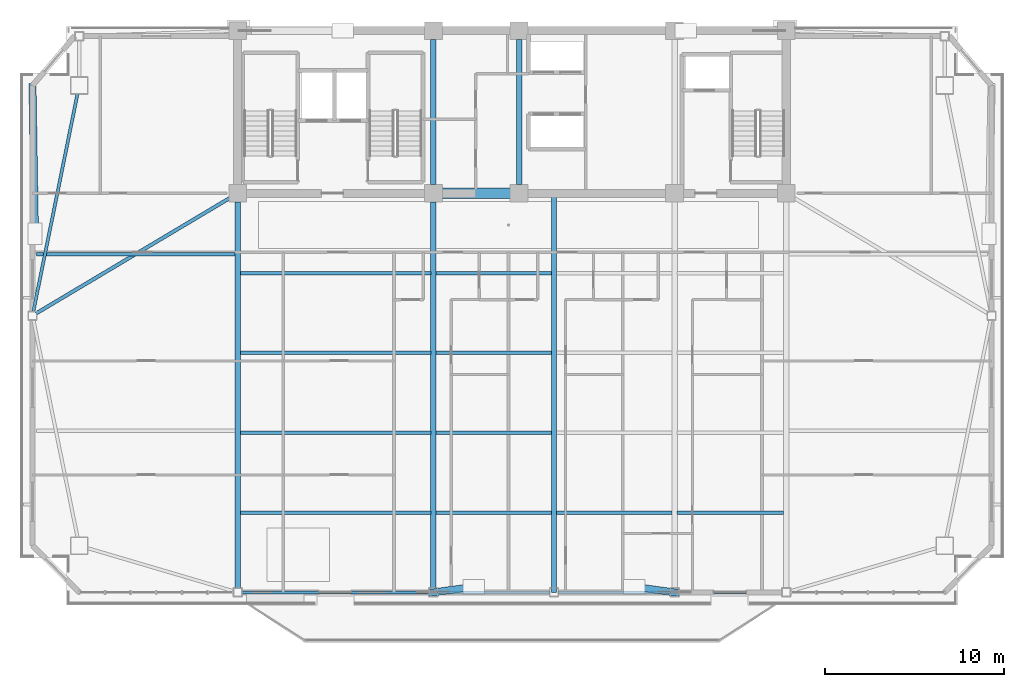
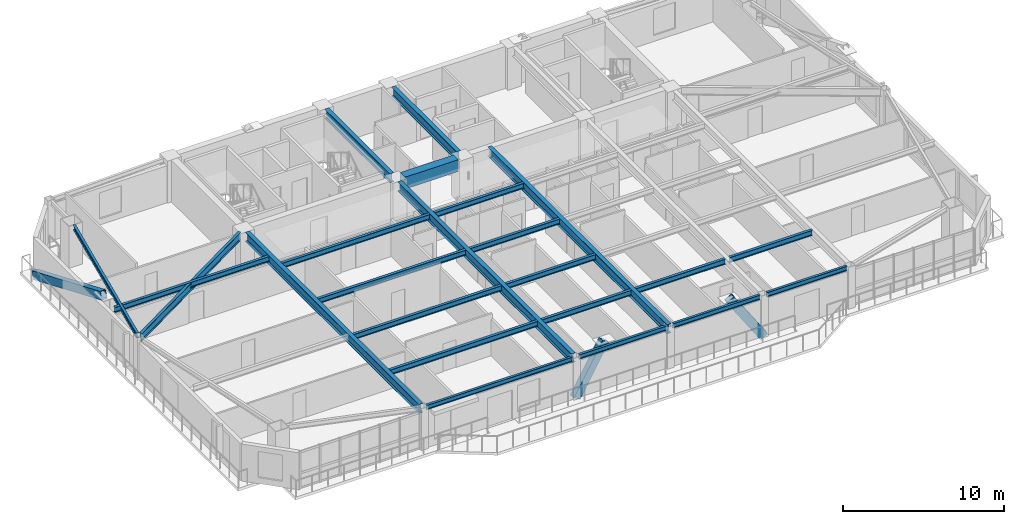
# One storey, part 3 of 17: 23 beams, 3 members.
"""IFC4 building model written with IfcOpenShell, lengths in metres."""

from ifc_helpers import new_model, si_unit, direction, frame, origin, origin_2d, place, context, subcontext, project, spatial, rectangle, hollow_rectangle, i_section, extrude, source, transform, mapped, material, material_profile, profile_set, type_object, element, save


model = new_model("IFC4")

# Units and contexts
model_context = context("Model", 3, precision=1e-05, world=origin(), true_north=direction((0.0, 1.0)))
body_context = subcontext(model_context, "Body", "Model", "MODEL_VIEW")
ifc_project = project(units=[si_unit("LENGTHUNIT", "METRE"), si_unit("AREAUNIT", "SQUARE_METRE"), si_unit("VOLUMEUNIT", "CUBIC_METRE"), si_unit("PLANEANGLEUNIT", "RADIAN"), si_unit("MASSUNIT", "GRAM", prefix="KILO")], contexts=[model_context])

# Site, building, storey
site_placement = place(None, origin())
site = spatial("IfcSite", under=ifc_project, at=site_placement, CompositionType="ELEMENT")
building_placement = place(site_placement, origin())
building = spatial("IfcBuilding", under=site, at=building_placement, Name="Giltprow Tower", CompositionType="ELEMENT")
storey_placement = place(building_placement, frame((0.0, 0.0, 248.5)))
storey = spatial("IfcBuildingStorey", under=building, at=storey_placement, Name="L63", CompositionType="ELEMENT", Elevation=248.5)

# Beams
ifc_material_1 = material(Name="Concrete C50", Category="concrete")
ifc_material_profile_1 = material_profile(ifc_material_1, rectangle(XDim=0.60009765625, YDim=0.89990234375, at=origin_2d()), Name="RC 900x600")
ifc_profile_set_1 = profile_set([ifc_material_profile_1], Name="Concrete C50")
beam_type_1 = type_object("IfcBeamType", Name="BM-CPL-RC900", PredefinedType="LINTEL", material=ifc_profile_set_1)
shared_shape_1 = source(origin(), body_context, "Body", "SweptSolid", [
    extrude(rectangle(XDim=0.60009765625, YDim=0.89990234375, at=origin_2d()), origin(), (0.0, 0.0, 1.0), 3.830078125),
])
beam_1_placement = place(storey_placement, frame((31.284912109375, 37.449951171875, 2.735107421875), z_axis=(1.0, 0.0, 0.0), x_axis=(0.0, 1.0, 0.0)))
element("IfcBeam", 1, at=beam_1_placement, inside=storey, type_object=beam_type_1, Name="L63 Core Coupling Beam CB-1", PredefinedType="LINTEL", context=body_context, shape_type="MappedRepresentation", body=[
    mapped(shared_shape_1, transform((0.0, 0.0, 0.0), x_axis=(1.0, 0.0, 0.0), y_axis=(0.0, 1.0, 0.0), z_axis=(0.0, 0.0, 1.0), scale=1.0)),
])
ifc_material_2 = material(Name="Structural steel Q355B", Category="steel")
ifc_material_profile_2 = material_profile(ifc_material_2, i_section(OverallWidth=0.300048828125, OverallDepth=0.699951171875, WebThickness=0.012939453125, FlangeThickness=0.02392578125, at=origin_2d()), Name="HN 700x300x13x24")
ifc_profile_set_2 = profile_set([ifc_material_profile_2], Name="Structural steel Q355B")
beam_type_2 = type_object("IfcBeamType", Name="BM-GIRD-HN700", PredefinedType="BEAM", material=ifc_profile_set_2)
shared_shape_2 = source(origin(), body_context, "Body", "SweptSolid", [
    extrude(i_section(OverallWidth=0.300048828125, OverallDepth=0.699951171875, WebThickness=0.012939453125, FlangeThickness=0.02392578125, at=origin_2d()), origin(), (0.0, 0.0, 1.0), 8.1298828125),
])
for number, where, z_axis, x_axis, name in (
    (2, (30.800048828125, 37.93505859375, 2.8349609375), (0.0, 1.0, 0.0), (-1.0, 0.0, 0.0), "L63 Core Tie Girder M1"),
    (3, (35.60009765625, 37.93505859375, 2.8349609375), (0.0, 1.0, 0.0), (-1.0, 0.0, 0.0), "L63 Core Tie Girder M2"),
):
    element("IfcBeam", number, at=place(storey_placement, frame(where, z_axis=z_axis, x_axis=x_axis)), inside=storey, type_object=beam_type_2, Name=name, PredefinedType="BEAM", context=body_context, shape_type="MappedRepresentation", body=[
        mapped(shared_shape_2, transform((0.0, 0.0, 0.0), x_axis=(1.0, 0.0, 0.0), y_axis=(0.0, 1.0, 0.0), z_axis=(0.0, 0.0, 1.0), scale=1.0)),
    ])
ifc_material_profile_3 = material_profile(ifc_material_2, i_section(OverallWidth=0.199951171875, OverallDepth=0.39990234375, WebThickness=0.008056640625, FlangeThickness=0.012939453125, at=origin_2d()), Name="HN 400x200x8x13")
ifc_profile_set_3 = profile_set([ifc_material_profile_3], Name="Structural steel Q355B")
beam_type_3 = type_object("IfcBeamType", Name="BM-JOIST-HN400", PredefinedType="JOIST", material=ifc_profile_set_3)
shared_shape_3 = source(origin(), body_context, "Body", "SweptSolid", [
    extrude(i_section(OverallWidth=0.199951171875, OverallDepth=0.39990234375, WebThickness=0.008056640625, FlangeThickness=0.012939453125, at=origin_2d()), origin(), (0.0, 0.0, 1.0), 10.659912109375),
])
for number, where, z_axis, x_axis, name in (
    (4, (19.9951171875, 19.580078125, 2.985107421875), (1.0, 0.0, 0.0), (0.0, 1.0, 0.0), "L63 Composite Floor Joist 1-1"),
    (5, (19.9951171875, 24.048095703125, 2.985107421875), (1.0, 0.0, 0.0), (0.0, 1.0, 0.0), "L63 Composite Floor Joist 2-1"),
    (6, (19.9951171875, 28.514892578125, 2.985107421875), (1.0, 0.0, 0.0), (0.0, 1.0, 0.0), "L63 Composite Floor Joist 3-1"),
    (7, (19.9951171875, 32.98291015625, 2.985107421875), (1.0, 0.0, 0.0), (0.0, 1.0, 0.0), "L63 Composite Floor Joist 4-1"),
):
    element("IfcBeam", number, at=place(storey_placement, frame(where, z_axis=z_axis, x_axis=x_axis)), inside=storey, type_object=beam_type_3, Name=name, PredefinedType="JOIST", context=body_context, shape_type="MappedRepresentation", body=[
        mapped(shared_shape_3, transform((0.0, 0.0, 0.0), x_axis=(1.0, 0.0, 0.0), y_axis=(0.0, 1.0, 0.0), z_axis=(0.0, 0.0, 1.0), scale=1.0)),
    ])
shared_shape_4 = source(origin(), body_context, "Body", "SweptSolid", [
    extrude(i_section(OverallWidth=0.199951171875, OverallDepth=0.39990234375, WebThickness=0.008056640625, FlangeThickness=0.012939453125, at=origin_2d()), origin(), (0.0, 0.0, 1.0), 6.4599609375),
])
for number, where, z_axis, x_axis, name in (
    (8, (30.945068359375, 19.580078125, 2.985107421875), (1.0, 0.0, 0.0), (0.0, 1.0, 0.0), "L63 Composite Floor Joist 1-2"),
    (9, (37.695068359375, 19.580078125, 2.985107421875), (1.0, 0.0, 0.0), (0.0, 1.0, 0.0), "L63 Composite Floor Joist 1-3"),
    (10, (30.945068359375, 24.048095703125, 2.985107421875), (1.0, 0.0, 0.0), (0.0, 1.0, 0.0), "L63 Composite Floor Joist 2-2"),
    (11, (30.945068359375, 28.514892578125, 2.985107421875), (1.0, 0.0, 0.0), (0.0, 1.0, 0.0), "L63 Composite Floor Joist 3-2"),
    (12, (30.945068359375, 32.98291015625, 2.985107421875), (1.0, 0.0, 0.0), (0.0, 1.0, 0.0), "L63 Composite Floor Joist 4-2"),
):
    element("IfcBeam", number, at=place(storey_placement, frame(where, z_axis=z_axis, x_axis=x_axis)), inside=storey, type_object=beam_type_3, Name=name, PredefinedType="JOIST", context=body_context, shape_type="MappedRepresentation", body=[
        mapped(shared_shape_4, transform((0.0, 0.0, 0.0), x_axis=(1.0, 0.0, 0.0), y_axis=(0.0, 1.0, 0.0), z_axis=(0.0, 0.0, 1.0), scale=1.0)),
    ])
shared_shape_5 = source(origin(), body_context, "Body", "SweptSolid", [
    extrude(i_section(OverallWidth=0.199951171875, OverallDepth=0.39990234375, WebThickness=0.008056640625, FlangeThickness=0.012939453125, at=origin_2d()), origin(), (0.0, 0.0, 1.0), 5.9599609375),
])
beam_2_placement = place(storey_placement, frame((44.445068359375, 19.580078125, 2.985107421875), z_axis=(1.0, 0.0, 0.0), x_axis=(0.0, 1.0, 0.0)))
element("IfcBeam", 13, at=beam_2_placement, inside=storey, type_object=beam_type_3, Name="L63 Composite Floor Joist 1-4", PredefinedType="JOIST", context=body_context, shape_type="MappedRepresentation", body=[
    mapped(shared_shape_5, transform((0.0, 0.0, 0.0), x_axis=(1.0, 0.0, 0.0), y_axis=(0.0, 1.0, 0.0), z_axis=(0.0, 0.0, 1.0), scale=1.0)),
])
ifc_material_profile_4 = material_profile(ifc_material_2, i_section(OverallWidth=0.175048828125, OverallDepth=0.35009765625, WebThickness=0.007080078125, FlangeThickness=0.010986328125, at=origin_2d()), Name="HN 350x175x7x11")
ifc_profile_set_4 = profile_set([ifc_material_profile_4], Name="Structural steel Q355B")
beam_type_4 = type_object("IfcBeamType", Name="BM-SPAN-HN350", PredefinedType="SPANDREL", material=ifc_profile_set_4)
shared_shape_6 = source(origin(), body_context, "Body", "SweptSolid", [
    extrude(i_section(OverallWidth=0.175048828125, OverallDepth=0.35009765625, WebThickness=0.007080078125, FlangeThickness=0.010986328125, at=origin_2d()), origin(), (0.0, 0.0, 1.0), 10.47998046875),
])
beam_3_placement = place(storey_placement, frame((20.0849609375, 15.113037109375, 3.010009765625), z_axis=(1.0, 0.0, 0.0), x_axis=(0.0, 1.0, 0.0)))
element("IfcBeam", 14, at=beam_3_placement, inside=storey, type_object=beam_type_4, Name="L63 Perimeter Spandrel Beam S1-S2", PredefinedType="SPANDREL", context=body_context, shape_type="MappedRepresentation", body=[
    mapped(shared_shape_6, transform((0.0, 0.0, 0.0), x_axis=(1.0, 0.0, 0.0), y_axis=(0.0, 1.0, 0.0), z_axis=(0.0, 0.0, 1.0), scale=1.0)),
])
shared_shape_7 = source(origin(), body_context, "Body", "SweptSolid", [
    extrude(i_section(OverallWidth=0.175048828125, OverallDepth=0.35009765625, WebThickness=0.007080078125, FlangeThickness=0.010986328125, at=origin_2d()), origin(), (0.0, 0.0, 1.0), 6.280029296875),
])
for number, where, z_axis, x_axis, name in (
    (15, (31.034912109375, 15.113037109375, 3.010009765625), (1.0, 0.0, 0.0), (0.0, 1.0, 0.0), "L63 Perimeter Spandrel Beam S2-S_MID"),
    (16, (37.784912109375, 15.113037109375, 3.010009765625), (1.0, 0.0, 0.0), (0.0, 1.0, 0.0), "L63 Perimeter Spandrel Beam S_MID-S3"),
):
    element("IfcBeam", number, at=place(storey_placement, frame(where, z_axis=z_axis, x_axis=x_axis)), inside=storey, type_object=beam_type_4, Name=name, PredefinedType="SPANDREL", context=body_context, shape_type="MappedRepresentation", body=[
        mapped(shared_shape_7, transform((0.0, 0.0, 0.0), x_axis=(1.0, 0.0, 0.0), y_axis=(0.0, 1.0, 0.0), z_axis=(0.0, 0.0, 1.0), scale=1.0)),
    ])
shared_shape_8 = source(origin(), body_context, "Body", "SweptSolid", [
    extrude(i_section(OverallWidth=0.175048828125, OverallDepth=0.35009765625, WebThickness=0.007080078125, FlangeThickness=0.010986328125, at=origin_2d()), origin(), (0.0, 0.0, 1.0), 5.780029296875),
])
beam_4_placement = place(storey_placement, frame((44.534912109375, 15.113037109375, 3.010009765625), z_axis=(1.0, 0.0, 0.0), x_axis=(0.0, 1.0, 0.0)))
element("IfcBeam", 17, at=beam_4_placement, inside=storey, type_object=beam_type_4, Name="L63 Perimeter Spandrel Beam S3-S4", PredefinedType="SPANDREL", context=body_context, shape_type="MappedRepresentation", body=[
    mapped(shared_shape_8, transform((0.0, 0.0, 0.0), x_axis=(1.0, 0.0, 0.0), y_axis=(0.0, 1.0, 0.0), z_axis=(0.0, 0.0, 1.0), scale=1.0)),
])
shared_shape_9 = source(origin(), body_context, "Body", "SweptSolid", [
    extrude(i_section(OverallWidth=0.175048828125, OverallDepth=0.35009765625, WebThickness=0.007080078125, FlangeThickness=0.010986328125, at=origin_2d()), origin(), (0.0, 0.0, 1.0), 12.42138671875),
])
beam_5_placement = place(storey_placement, frame((10.882080078125, 43.010009765625, 3.010009765625), z_axis=(-0.198946371851, -0.980010378071, 0.0), x_axis=(0.980010378071, -0.198946371851, 0.0)))
element("IfcBeam", 18, at=beam_5_placement, inside=storey, type_object=beam_type_4, Name="L63 Perimeter Spandrel Beam MC_NW-W_MID", PredefinedType="SPANDREL", context=body_context, shape_type="MappedRepresentation", body=[
    mapped(shared_shape_9, transform((0.0, 0.0, 0.0), x_axis=(1.0, 0.0, 0.0), y_axis=(0.0, 1.0, 0.0), z_axis=(0.0, 0.0, 1.0), scale=1.0)),
])
shared_shape_10 = source(origin(), body_context, "Body", "SweptSolid", [
    extrude(i_section(OverallWidth=0.300048828125, OverallDepth=0.699951171875, WebThickness=0.012939453125, FlangeThickness=0.02392578125, at=origin_2d()), origin(), (0.0, 0.0, 1.0), 21.6171875),
])
for number, where, z_axis, x_axis, name in (
    (19, (19.85009765625, 15.347900390625, 2.8349609375), (0.0, 1.0, 0.0), (-1.0, 0.0, 0.0), "L63 Primary Lease Girder S1"),
    (20, (30.800048828125, 15.347900390625, 2.8349609375), (0.0, 1.0, 0.0), (-1.0, 0.0, 0.0), "L63 Primary Lease Girder S2"),
):
    element("IfcBeam", number, at=place(storey_placement, frame(where, z_axis=z_axis, x_axis=x_axis)), inside=storey, type_object=beam_type_2, Name=name, PredefinedType="BEAM", context=body_context, shape_type="MappedRepresentation", body=[
        mapped(shared_shape_10, transform((0.0, 0.0, 0.0), x_axis=(1.0, 0.0, 0.0), y_axis=(0.0, 1.0, 0.0), z_axis=(0.0, 0.0, 1.0), scale=1.0)),
    ])
shared_shape_11 = source(origin(), body_context, "Body", "SweptSolid", [
    extrude(i_section(OverallWidth=0.300048828125, OverallDepth=0.699951171875, WebThickness=0.012939453125, FlangeThickness=0.02392578125, at=origin_2d()), origin(), (0.0, 0.0, 1.0), 22.3369140625),
])
beam_6_placement = place(storey_placement, frame((37.550048828125, 15.113037109375, 2.8349609375), z_axis=(0.0, 1.0, 0.0), x_axis=(-1.0, 0.0, 0.0)))
element("IfcBeam", 21, at=beam_6_placement, inside=storey, type_object=beam_type_2, Name="L63 Central Lease Girder SMID", PredefinedType="BEAM", context=body_context, shape_type="MappedRepresentation", body=[
    mapped(shared_shape_11, transform((0.0, 0.0, 0.0), x_axis=(1.0, 0.0, 0.0), y_axis=(0.0, 1.0, 0.0), z_axis=(0.0, 0.0, 1.0), scale=1.0)),
])
ifc_material_profile_5 = material_profile(ifc_material_2, i_section(OverallWidth=0.199951171875, OverallDepth=0.60009765625, WebThickness=0.010986328125, FlangeThickness=0.01708984375, at=origin_2d()), Name="HN 600x200x11x17")
ifc_profile_set_5 = profile_set([ifc_material_profile_5], Name="Structural steel Q355B")
beam_type_5 = type_object("IfcBeamType", Name="BM-GIRD-HN600", PredefinedType="BEAM", material=ifc_profile_set_5)
shared_shape_12 = source(origin(), body_context, "Body", "SweptSolid", [
    extrude(i_section(OverallWidth=0.199951171875, OverallDepth=0.60009765625, WebThickness=0.010986328125, FlangeThickness=0.01708984375, at=origin_2d()), origin(), (0.0, 0.0, 1.0), 12.64990234375),
])
beam_7_placement = place(storey_placement, frame((8.56591796875, 30.72705078125, 2.885009765625), z_axis=(0.859074279173, 0.511850938128, 0.0), x_axis=(-0.511850938128, 0.859074279173, 0.0)))
element("IfcBeam", 22, at=beam_7_placement, inside=storey, type_object=beam_type_5, Name="L63 West Wing Primary Girder", PredefinedType="BEAM", context=body_context, shape_type="MappedRepresentation", body=[
    mapped(shared_shape_12, transform((0.0, 0.0, 0.0), x_axis=(1.0, 0.0, 0.0), y_axis=(0.0, 1.0, 0.0), z_axis=(0.0, 0.0, 1.0), scale=1.0)),
])
shared_shape_13 = source(origin(), body_context, "Body", "SweptSolid", [
    extrude(i_section(OverallWidth=0.199951171875, OverallDepth=0.39990234375, WebThickness=0.008056640625, FlangeThickness=0.012939453125, at=origin_2d()), origin(), (0.0, 0.0, 1.0), 11.12109375),
])
beam_8_placement = place(storey_placement, frame((8.583984375, 34.029052734375, 2.985107421875), z_axis=(1.0, 0.0, 0.0), x_axis=(0.0, 1.0, 0.0)))
element("IfcBeam", 23, at=beam_8_placement, inside=storey, type_object=beam_type_3, Name="L63 West Wing Floor Joist 2", PredefinedType="JOIST", context=body_context, shape_type="MappedRepresentation", body=[
    mapped(shared_shape_13, transform((0.0, 0.0, 0.0), x_axis=(1.0, 0.0, 0.0), y_axis=(0.0, 1.0, 0.0), z_axis=(0.0, 0.0, 1.0), scale=1.0)),
])

# Members
ifc_material_3 = material(Name="Structural steel Q420GJC", Category="steel")
ifc_material_profile_6 = material_profile(ifc_material_3, hollow_rectangle(XDim=0.39990234375, YDim=0.60009765625, WallThickness=0.028076171875, at=origin_2d()), Name="RHS 600x400x28")
ifc_profile_set_6 = profile_set([ifc_material_profile_6], Name="Structural steel Q420GJC")
member_type = type_object("IfcMemberType", Name="MBR-MEGA-RHS600", PredefinedType="BRACE", material=ifc_profile_set_6)
shared_shape_14 = source(origin(), body_context, "Body", "SweptSolid", [
    extrude(hollow_rectangle(XDim=0.39990234375, YDim=0.60009765625, WallThickness=0.028076171875, at=origin_2d()), origin(), (0.0, 0.0, 1.0), 4.0888671875),
])
for number, where, z_axis, x_axis, name in (
    (24, (30.800048828125, 15.113037109375, 0.0), (0.550278873645, 0.076069366865, 0.831508636543), (-0.136935639325, 0.990579946639, 0.0), "L63 Chevron Mega-Brace S-L"),
    (25, (44.300048828125, 15.113037109375, 0.0), (-0.550278873645, 0.076069366865, 0.831508636543), (-0.136935639325, -0.990579946639, 0.0), "L63 Chevron Mega-Brace S-R"),
):
    element("IfcMember", number, at=place(storey_placement, frame(where, z_axis=z_axis, x_axis=x_axis)), inside=storey, type_object=member_type, Name=name, PredefinedType="BRACE", context=body_context, shape_type="MappedRepresentation", body=[
        mapped(shared_shape_14, transform((0.0, 0.0, 0.0), x_axis=(1.0, 0.0, 0.0), y_axis=(0.0, 1.0, 0.0), z_axis=(0.0, 0.0, 1.0), scale=1.0)),
    ])
shared_shape_15 = source(origin(), body_context, "Body", "SweptSolid", [
    extrude(hollow_rectangle(XDim=0.39990234375, YDim=0.60009765625, WallThickness=0.028076171875, at=origin_2d()), origin(), (0.0, 0.0, 1.0), 8.961181640625),
])
member_placement = place(storey_placement, frame((8.364013671875, 43.485107421875, 0.0), z_axis=(0.015392966169, -0.92510364469, 0.379402560842), x_axis=(0.999861597581, 0.016636877213, 0.0)))
element("IfcMember", 26, at=member_placement, inside=storey, type_object=member_type, Name="L63 Chevron Mega-Brace W-D", PredefinedType="BRACE", context=body_context, shape_type="MappedRepresentation", body=[
    mapped(shared_shape_15, transform((0.0, 0.0, 0.0), x_axis=(1.0, 0.0, 0.0), y_axis=(0.0, 1.0, 0.0), z_axis=(0.0, 0.0, 1.0), scale=1.0)),
])

save(model, "model.ifc")
